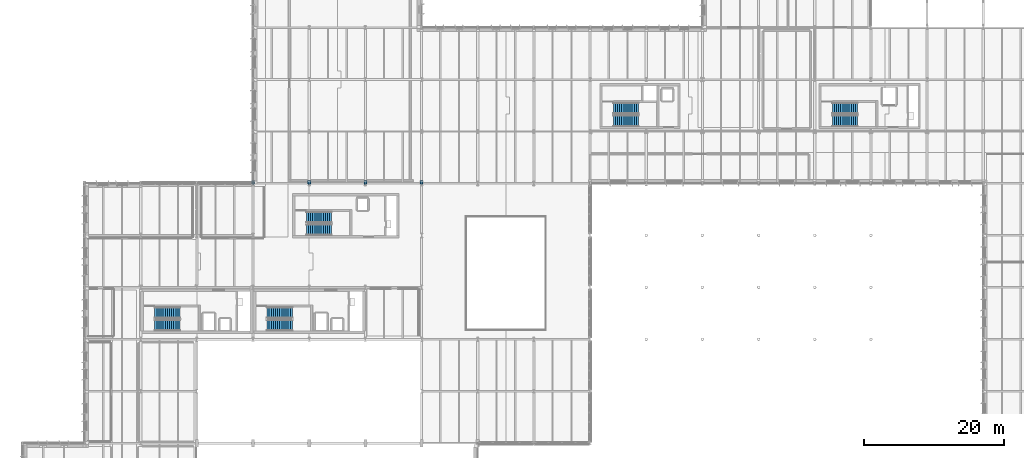
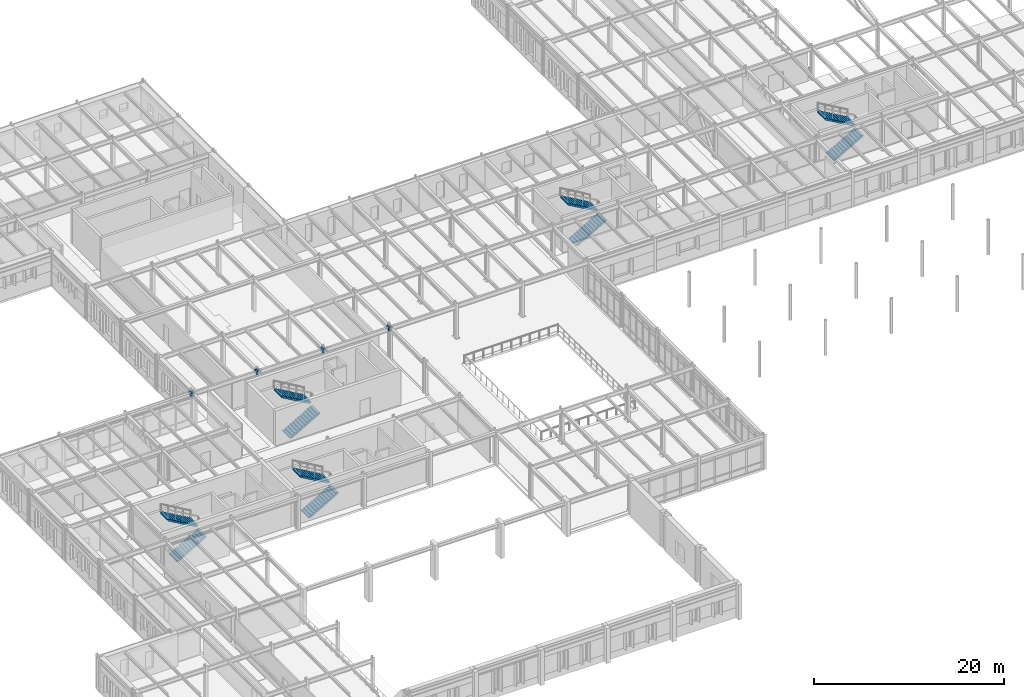
# One storey, part 53 of 75: 10 stair flights, 8 discrete accessories, 5 elements without a shape of their own.
"""IFC4 building model written with IfcOpenShell, lengths in metres."""

from ifc_helpers import new_model, si_unit, direction, frame, origin, origin_2d, place, context, subcontext, project, spatial, polyline, rectangle, outline, extrude, material, type_object, element, aggregate, save


model = new_model("IFC4")

# Units and contexts
model_context = context("Model", 3, precision=1e-05, world=origin(), true_north=direction((0.0, 1.0)))
body_context = subcontext(model_context, "Body", "Model", "MODEL_VIEW")
ifc_project = project(units=[si_unit("LENGTHUNIT", "METRE"), si_unit("AREAUNIT", "SQUARE_METRE"), si_unit("VOLUMEUNIT", "CUBIC_METRE"), si_unit("PLANEANGLEUNIT", "RADIAN"), si_unit("MASSUNIT", "GRAM", prefix="KILO")], contexts=[model_context])

# Site, building, storey
site_placement = place(None, origin())
site = spatial("IfcSite", under=ifc_project, at=site_placement, CompositionType="ELEMENT")
building_placement = place(site_placement, origin())
building = spatial("IfcBuilding", under=site, at=building_placement, Name="Valkorina Park Police Headquarters", CompositionType="ELEMENT")
storey_placement = place(building_placement, frame((0.0, 0.0, 5.39990234375)))
storey = spatial("IfcBuildingStorey", under=building, at=storey_placement, Name="L02", CompositionType="ELEMENT", Elevation=5.39990234375)

# Stair, stair flights
ifc_material_1 = material(Name="Concrete C35/45", Category="concrete")
stair_type = type_object("IfcStairType", Name="ST-DOGLEG-160-45", PredefinedType="HALF_TURN_STAIR", material=ifc_material_1)
stair_1_placement = place(storey_placement, origin())
stair_1 = element("IfcStair", 1, at=stair_1_placement, inside=storey, type_object=stair_type, Name="L02 Core C1 Protected Stair (ST-03)", PredefinedType="HALF_TURN_STAIR")
stair_flight_type = type_object("IfcStairFlightType", Name="STF-STRAIGHT-160-45", PredefinedType="STRAIGHT", material=ifc_material_1)
stair_flight_1_placement = place(storey_placement, frame((18.800048828125, 39.0, 0.0), z_axis=(0.0, 0.0, 1.0), x_axis=(1.0, 0.0, 0.0)))
stair_flight_1 = element("IfcStairFlight", 2, at=stair_flight_1_placement, type_object=stair_flight_type, Name="ST-03 flight 1", NumberOfRisers=13, NumberOfTreads=12, PredefinedType="STRAIGHT", RiserHeight=0.173076923, TreadLength=0.3, context=body_context, shape_type="SweptSolid", body=[
    extrude(outline(polyline([(0.0, 0.0), (0.0, 0.173095703125), (0.300048828125, 0.173095703125), (0.300048828125, 0.34619140625), (0.60009765625, 0.34619140625), (0.60009765625, 0.519287109375), (0.89990234375, 0.519287109375), (0.89990234375, 0.6923828125), (1.199951171875, 0.6923828125), (1.199951171875, 0.865478515625), (1.5, 0.865478515625), (1.5, 1.03857421875), (1.800048828125, 1.03857421875), (1.800048828125, 1.21142578125), (2.10009765625, 1.21142578125), (2.10009765625, 1.384521484375), (2.39990234375, 1.384521484375), (2.39990234375, 1.5576171875), (2.699951171875, 1.5576171875), (2.699951171875, 1.730712890625), (3.0, 1.730712890625), (3.0, 1.90380859375), (3.300048828125, 1.90380859375), (3.300048828125, 2.076904296875), (3.60009765625, 2.076904296875), (3.60009765625, 2.25), (3.60009765625, 1.892333984375), (0.320068359375, 0.0), (0.0, 0.0)])), frame((0.0, 0.800048828125, 0.0), z_axis=(0.0, -1.0, 0.0), x_axis=(1.0, 0.0, 0.0)), (0.0, 0.0, 1.0), 1.60009765625),
])
stair_flight_2_placement = place(storey_placement, frame((22.39990234375, 40.800048828125, 2.25), z_axis=(0.0, 0.0, 1.0), x_axis=(-1.0, 0.0, 0.0)))
stair_flight_2 = element("IfcStairFlight", 3, at=stair_flight_2_placement, type_object=stair_flight_type, Name="ST-03 flight 2", NumberOfRisers=13, NumberOfTreads=12, PredefinedType="STRAIGHT", RiserHeight=0.173076923, TreadLength=0.3, context=body_context, shape_type="SweptSolid", body=[
    extrude(outline(polyline([(0.0, 0.0), (0.0, 0.173095703125), (0.300048828125, 0.173095703125), (0.300048828125, 0.34619140625), (0.60009765625, 0.34619140625), (0.60009765625, 0.519287109375), (0.89990234375, 0.519287109375), (0.89990234375, 0.6923828125), (1.199951171875, 0.6923828125), (1.199951171875, 0.865478515625), (1.5, 0.865478515625), (1.5, 1.03857421875), (1.800048828125, 1.03857421875), (1.800048828125, 1.21142578125), (2.10009765625, 1.21142578125), (2.10009765625, 1.384521484375), (2.39990234375, 1.384521484375), (2.39990234375, 1.5576171875), (2.699951171875, 1.5576171875), (2.699951171875, 1.730712890625), (3.0, 1.730712890625), (3.0, 1.90380859375), (3.300048828125, 1.90380859375), (3.300048828125, 2.076904296875), (3.60009765625, 2.076904296875), (3.60009765625, 2.25), (3.60009765625, 1.892333984375), (0.320068359375, 0.0), (0.0, 0.0)])), frame((0.0, 0.800048828125, 0.0), z_axis=(0.0, -1.0, 0.0), x_axis=(1.0, 0.0, 0.0)), (0.0, 0.0, 1.0), 1.60009765625),
])
aggregate(stair_1, [stair_flight_1, stair_flight_2])

stair_2_placement = place(storey_placement, origin())
stair_2 = element("IfcStair", 4, at=stair_2_placement, inside=storey, type_object=stair_type, Name="L02 Core C2 Protected Stair (ST-03)", PredefinedType="HALF_TURN_STAIR")
stair_flight_3_placement = place(storey_placement, frame((34.800048828125, 39.0, 0.0), z_axis=(0.0, 0.0, 1.0), x_axis=(1.0, 0.0, 0.0)))
stair_flight_3 = element("IfcStairFlight", 5, at=stair_flight_3_placement, type_object=stair_flight_type, Name="ST-03 flight 1", NumberOfRisers=13, NumberOfTreads=12, PredefinedType="STRAIGHT", RiserHeight=0.173076923, TreadLength=0.3, context=body_context, shape_type="SweptSolid", body=[
    extrude(outline(polyline([(0.0, 0.0), (0.0, 0.173095703125), (0.300048828125, 0.173095703125), (0.300048828125, 0.34619140625), (0.60009765625, 0.34619140625), (0.60009765625, 0.519287109375), (0.89990234375, 0.519287109375), (0.89990234375, 0.6923828125), (1.199951171875, 0.6923828125), (1.199951171875, 0.865478515625), (1.5, 0.865478515625), (1.5, 1.03857421875), (1.800048828125, 1.03857421875), (1.800048828125, 1.21142578125), (2.10009765625, 1.21142578125), (2.10009765625, 1.384521484375), (2.39990234375, 1.384521484375), (2.39990234375, 1.5576171875), (2.699951171875, 1.5576171875), (2.699951171875, 1.730712890625), (3.0, 1.730712890625), (3.0, 1.90380859375), (3.300048828125, 1.90380859375), (3.300048828125, 2.076904296875), (3.60009765625, 2.076904296875), (3.60009765625, 2.25), (3.60009765625, 1.892333984375), (0.320068359375, 0.0), (0.0, 0.0)])), frame((0.0, 0.800048828125, 0.0), z_axis=(0.0, -1.0, 0.0), x_axis=(1.0, 0.0, 0.0)), (0.0, 0.0, 1.0), 1.60009765625),
])
stair_flight_4_placement = place(storey_placement, frame((38.39990234375, 40.800048828125, 2.25), z_axis=(0.0, 0.0, 1.0), x_axis=(-1.0, 0.0, 0.0)))
stair_flight_4 = element("IfcStairFlight", 6, at=stair_flight_4_placement, type_object=stair_flight_type, Name="ST-03 flight 2", NumberOfRisers=13, NumberOfTreads=12, PredefinedType="STRAIGHT", RiserHeight=0.173076923, TreadLength=0.3, context=body_context, shape_type="SweptSolid", body=[
    extrude(outline(polyline([(0.0, 0.0), (0.0, 0.173095703125), (0.300048828125, 0.173095703125), (0.300048828125, 0.34619140625), (0.60009765625, 0.34619140625), (0.60009765625, 0.519287109375), (0.89990234375, 0.519287109375), (0.89990234375, 0.6923828125), (1.199951171875, 0.6923828125), (1.199951171875, 0.865478515625), (1.5, 0.865478515625), (1.5, 1.03857421875), (1.800048828125, 1.03857421875), (1.800048828125, 1.21142578125), (2.10009765625, 1.21142578125), (2.10009765625, 1.384521484375), (2.39990234375, 1.384521484375), (2.39990234375, 1.5576171875), (2.699951171875, 1.5576171875), (2.699951171875, 1.730712890625), (3.0, 1.730712890625), (3.0, 1.90380859375), (3.300048828125, 1.90380859375), (3.300048828125, 2.076904296875), (3.60009765625, 2.076904296875), (3.60009765625, 2.25), (3.60009765625, 1.892333984375), (0.320068359375, 0.0), (0.0, 0.0)])), frame((0.0, 0.800048828125, 0.0), z_axis=(0.0, -1.0, 0.0), x_axis=(1.0, 0.0, 0.0)), (0.0, 0.0, 1.0), 1.60009765625),
])
aggregate(stair_2, [stair_flight_3, stair_flight_4])

stair_3_placement = place(storey_placement, origin())
stair_3 = element("IfcStair", 7, at=stair_3_placement, inside=storey, type_object=stair_type, Name="L02 Core C3 Protected Stair (ST-03)", PredefinedType="HALF_TURN_STAIR")
stair_flight_5_placement = place(storey_placement, frame((40.39990234375, 52.60009765625, 0.0), z_axis=(0.0, 0.0, 1.0), x_axis=(1.0, 0.0, 0.0)))
stair_flight_5 = element("IfcStairFlight", 8, at=stair_flight_5_placement, type_object=stair_flight_type, Name="ST-03 flight 1", NumberOfRisers=13, NumberOfTreads=12, PredefinedType="STRAIGHT", RiserHeight=0.173076923, TreadLength=0.3, context=body_context, shape_type="SweptSolid", body=[
    extrude(outline(polyline([(0.0, 0.0), (0.0, 0.173095703125), (0.300048828125, 0.173095703125), (0.300048828125, 0.34619140625), (0.60009765625, 0.34619140625), (0.60009765625, 0.519287109375), (0.89990234375, 0.519287109375), (0.89990234375, 0.6923828125), (1.199951171875, 0.6923828125), (1.199951171875, 0.865478515625), (1.5, 0.865478515625), (1.5, 1.03857421875), (1.800048828125, 1.03857421875), (1.800048828125, 1.21142578125), (2.10009765625, 1.21142578125), (2.10009765625, 1.384521484375), (2.39990234375, 1.384521484375), (2.39990234375, 1.5576171875), (2.699951171875, 1.5576171875), (2.699951171875, 1.730712890625), (3.0, 1.730712890625), (3.0, 1.90380859375), (3.300048828125, 1.90380859375), (3.300048828125, 2.076904296875), (3.60009765625, 2.076904296875), (3.60009765625, 2.25), (3.60009765625, 1.892333984375), (0.320068359375, 0.0), (0.0, 0.0)])), frame((0.0, 0.800048828125, 0.0), z_axis=(0.0, -1.0, 0.0), x_axis=(1.0, 0.0, 0.0)), (0.0, 0.0, 1.0), 1.60009765625),
])
stair_flight_6_placement = place(storey_placement, frame((44.0, 54.39990234375, 2.25), z_axis=(0.0, 0.0, 1.0), x_axis=(-1.0, 0.0, 0.0)))
stair_flight_6 = element("IfcStairFlight", 9, at=stair_flight_6_placement, type_object=stair_flight_type, Name="ST-03 flight 2", NumberOfRisers=13, NumberOfTreads=12, PredefinedType="STRAIGHT", RiserHeight=0.173076923, TreadLength=0.3, context=body_context, shape_type="SweptSolid", body=[
    extrude(outline(polyline([(0.0, 0.0), (0.0, 0.173095703125), (0.300048828125, 0.173095703125), (0.300048828125, 0.34619140625), (0.60009765625, 0.34619140625), (0.60009765625, 0.519287109375), (0.89990234375, 0.519287109375), (0.89990234375, 0.6923828125), (1.199951171875, 0.6923828125), (1.199951171875, 0.865478515625), (1.5, 0.865478515625), (1.5, 1.03857421875), (1.800048828125, 1.03857421875), (1.800048828125, 1.21142578125), (2.10009765625, 1.21142578125), (2.10009765625, 1.384521484375), (2.39990234375, 1.384521484375), (2.39990234375, 1.5576171875), (2.699951171875, 1.5576171875), (2.699951171875, 1.730712890625), (3.0, 1.730712890625), (3.0, 1.90380859375), (3.300048828125, 1.90380859375), (3.300048828125, 2.076904296875), (3.60009765625, 2.076904296875), (3.60009765625, 2.25), (3.60009765625, 1.892333984375), (0.320068359375, 0.0), (0.0, 0.0)])), frame((0.0, 0.800048828125, 0.0), z_axis=(0.0, -1.0, 0.0), x_axis=(1.0, 0.0, 0.0)), (0.0, 0.0, 1.0), 1.60009765625),
])
aggregate(stair_3, [stair_flight_5, stair_flight_6])

stair_4_placement = place(storey_placement, origin())
stair_4 = element("IfcStair", 10, at=stair_4_placement, inside=storey, type_object=stair_type, Name="L02 Core C5 Protected Stair (ST-03)", PredefinedType="HALF_TURN_STAIR")
stair_flight_7_placement = place(storey_placement, frame((115.300048828125, 68.10009765625, 0.0), z_axis=(0.0, 0.0, 1.0), x_axis=(1.0, 0.0, 0.0)))
stair_flight_7 = element("IfcStairFlight", 11, at=stair_flight_7_placement, type_object=stair_flight_type, Name="ST-03 flight 1", NumberOfRisers=13, NumberOfTreads=12, PredefinedType="STRAIGHT", RiserHeight=0.173076923, TreadLength=0.3, context=body_context, shape_type="SweptSolid", body=[
    extrude(outline(polyline([(0.0, 0.0), (0.0, 0.173095703125), (0.300048828125, 0.173095703125), (0.300048828125, 0.34619140625), (0.60009765625, 0.34619140625), (0.60009765625, 0.519287109375), (0.89990234375, 0.519287109375), (0.89990234375, 0.6923828125), (1.199951171875, 0.6923828125), (1.199951171875, 0.865478515625), (1.5, 0.865478515625), (1.5, 1.03857421875), (1.800048828125, 1.03857421875), (1.800048828125, 1.21142578125), (2.10009765625, 1.21142578125), (2.10009765625, 1.384521484375), (2.39990234375, 1.384521484375), (2.39990234375, 1.5576171875), (2.699951171875, 1.5576171875), (2.699951171875, 1.730712890625), (3.0, 1.730712890625), (3.0, 1.90380859375), (3.300048828125, 1.90380859375), (3.300048828125, 2.076904296875), (3.60009765625, 2.076904296875), (3.60009765625, 2.25), (3.60009765625, 1.892333984375), (0.320068359375, 0.0), (0.0, 0.0)])), frame((0.0, 0.800048828125, 0.0), z_axis=(0.0, -1.0, 0.0), x_axis=(1.0, 0.0, 0.0)), (0.0, 0.0, 1.0), 1.60009765625),
])
stair_flight_8_placement = place(storey_placement, frame((118.89990234375, 69.89990234375, 2.25), z_axis=(0.0, 0.0, 1.0), x_axis=(-1.0, 0.0, 0.0)))
stair_flight_8 = element("IfcStairFlight", 12, at=stair_flight_8_placement, type_object=stair_flight_type, Name="ST-03 flight 2", NumberOfRisers=13, NumberOfTreads=12, PredefinedType="STRAIGHT", RiserHeight=0.173076923, TreadLength=0.3, context=body_context, shape_type="SweptSolid", body=[
    extrude(outline(polyline([(0.0, 0.0), (0.0, 0.173095703125), (0.300048828125, 0.173095703125), (0.300048828125, 0.34619140625), (0.60009765625, 0.34619140625), (0.60009765625, 0.519287109375), (0.89990234375, 0.519287109375), (0.89990234375, 0.6923828125), (1.199951171875, 0.6923828125), (1.199951171875, 0.865478515625), (1.5, 0.865478515625), (1.5, 1.03857421875), (1.800048828125, 1.03857421875), (1.800048828125, 1.21142578125), (2.10009765625, 1.21142578125), (2.10009765625, 1.384521484375), (2.39990234375, 1.384521484375), (2.39990234375, 1.5576171875), (2.699951171875, 1.5576171875), (2.699951171875, 1.730712890625), (3.0, 1.730712890625), (3.0, 1.90380859375), (3.300048828125, 1.90380859375), (3.300048828125, 2.076904296875), (3.60009765625, 2.076904296875), (3.60009765625, 2.25), (3.60009765625, 1.892333984375), (0.320068359375, 0.0), (0.0, 0.0)])), frame((0.0, 0.800048828125, 0.0), z_axis=(0.0, -1.0, 0.0), x_axis=(1.0, 0.0, 0.0)), (0.0, 0.0, 1.0), 1.60009765625),
])
aggregate(stair_4, [stair_flight_7, stair_flight_8])

stair_5_placement = place(storey_placement, origin())
stair_5 = element("IfcStair", 13, at=stair_5_placement, inside=storey, type_object=stair_type, Name="L02 Core C6 Protected Stair (ST-03)", PredefinedType="HALF_TURN_STAIR")
stair_flight_9_placement = place(storey_placement, frame((84.10009765625, 68.10009765625, 0.0), z_axis=(0.0, 0.0, 1.0), x_axis=(1.0, 0.0, 0.0)))
stair_flight_9 = element("IfcStairFlight", 14, at=stair_flight_9_placement, type_object=stair_flight_type, Name="ST-03 flight 1", NumberOfRisers=13, NumberOfTreads=12, PredefinedType="STRAIGHT", RiserHeight=0.173076923, TreadLength=0.3, context=body_context, shape_type="SweptSolid", body=[
    extrude(outline(polyline([(0.0, 0.0), (0.0, 0.173095703125), (0.300048828125, 0.173095703125), (0.300048828125, 0.34619140625), (0.60009765625, 0.34619140625), (0.60009765625, 0.519287109375), (0.89990234375, 0.519287109375), (0.89990234375, 0.6923828125), (1.199951171875, 0.6923828125), (1.199951171875, 0.865478515625), (1.5, 0.865478515625), (1.5, 1.03857421875), (1.800048828125, 1.03857421875), (1.800048828125, 1.21142578125), (2.10009765625, 1.21142578125), (2.10009765625, 1.384521484375), (2.39990234375, 1.384521484375), (2.39990234375, 1.5576171875), (2.699951171875, 1.5576171875), (2.699951171875, 1.730712890625), (3.0, 1.730712890625), (3.0, 1.90380859375), (3.300048828125, 1.90380859375), (3.300048828125, 2.076904296875), (3.60009765625, 2.076904296875), (3.60009765625, 2.25), (3.60009765625, 1.892333984375), (0.320068359375, 0.0), (0.0, 0.0)])), frame((0.0, 0.800048828125, 0.0), z_axis=(0.0, -1.0, 0.0), x_axis=(1.0, 0.0, 0.0)), (0.0, 0.0, 1.0), 1.60009765625),
])
stair_flight_10_placement = place(storey_placement, frame((87.699951171875, 69.89990234375, 2.25), z_axis=(0.0, 0.0, 1.0), x_axis=(-1.0, 0.0, 0.0)))
stair_flight_10 = element("IfcStairFlight", 15, at=stair_flight_10_placement, type_object=stair_flight_type, Name="ST-03 flight 2", NumberOfRisers=13, NumberOfTreads=12, PredefinedType="STRAIGHT", RiserHeight=0.173076923, TreadLength=0.3, context=body_context, shape_type="SweptSolid", body=[
    extrude(outline(polyline([(0.0, 0.0), (0.0, 0.173095703125), (0.300048828125, 0.173095703125), (0.300048828125, 0.34619140625), (0.60009765625, 0.34619140625), (0.60009765625, 0.519287109375), (0.89990234375, 0.519287109375), (0.89990234375, 0.6923828125), (1.199951171875, 0.6923828125), (1.199951171875, 0.865478515625), (1.5, 0.865478515625), (1.5, 1.03857421875), (1.800048828125, 1.03857421875), (1.800048828125, 1.21142578125), (2.10009765625, 1.21142578125), (2.10009765625, 1.384521484375), (2.39990234375, 1.384521484375), (2.39990234375, 1.5576171875), (2.699951171875, 1.5576171875), (2.699951171875, 1.730712890625), (3.0, 1.730712890625), (3.0, 1.90380859375), (3.300048828125, 1.90380859375), (3.300048828125, 2.076904296875), (3.60009765625, 2.076904296875), (3.60009765625, 2.25), (3.60009765625, 1.892333984375), (0.320068359375, 0.0), (0.0, 0.0)])), frame((0.0, 0.800048828125, 0.0), z_axis=(0.0, -1.0, 0.0), x_axis=(1.0, 0.0, 0.0)), (0.0, 0.0, 1.0), 1.60009765625),
])
aggregate(stair_5, [stair_flight_9, stair_flight_10])

# Discrete accessories
ifc_material_2 = material(Name="Stainless steel EN 1.4404", Category="steel")
discrete_accessory_type_1 = type_object("IfcDiscreteAccessoryType", Name="ACC-BEARING-PTFE", PredefinedType="SHOE", material=ifc_material_2)
for number, where, z_axis, x_axis, name in (
    (16, (32.800048828125, 59.360107421875, 4.110107421875), (0.0, 0.0, 1.0), (1.0, 0.0, 0.0), "Unguided PTFE Movement Joint Bearing MJ-01 #15"),
    (17, (40.800048828125, 59.360107421875, 4.110107421875), (0.0, 0.0, 1.0), (1.0, 0.0, 0.0), "Unguided PTFE Movement Joint Bearing MJ-01 #16"),
    (18, (48.800048828125, 59.360107421875, 4.110107421875), (0.0, 0.0, 1.0), (1.0, 0.0, 0.0), "Unguided PTFE Movement Joint Bearing MJ-01 #17"),
    (19, (56.800048828125, 59.360107421875, 4.110107421875), (0.0, 0.0, 1.0), (1.0, 0.0, 0.0), "Unguided PTFE Movement Joint Bearing MJ-01 #18"),
):
    element("IfcDiscreteAccessory", number, at=place(storey_placement, frame(where, z_axis=z_axis, x_axis=x_axis)), inside=storey, type_object=discrete_accessory_type_1, Name=name, PredefinedType="SHOE", context=body_context, shape_type="SweptSolid", body=[
        extrude(rectangle(XDim=0.260009765625, YDim=0.47998046875, at=origin_2d()), origin(), (0.0, 0.0, 1.0), 0.06005859375),
    ])
ifc_material_3 = material(Name="Concrete C40/50", Category="concrete")
discrete_accessory_type_2 = type_object("IfcDiscreteAccessoryType", Name="ACC-CORBEL-RC-480", PredefinedType="BRACKET", material=ifc_material_3)
for number, where, z_axis, x_axis, name in (
    (20, (32.800048828125, 59.360107421875, 3.66015625), (0.0, 0.0, 1.0), (1.0, 0.0, 0.0), "Grid J 480 mm RC Movement-Joint Corbel #15"),
    (21, (40.800048828125, 59.360107421875, 3.66015625), (0.0, 0.0, 1.0), (1.0, 0.0, 0.0), "Grid J 480 mm RC Movement-Joint Corbel #16"),
    (22, (48.800048828125, 59.360107421875, 3.66015625), (0.0, 0.0, 1.0), (1.0, 0.0, 0.0), "Grid J 480 mm RC Movement-Joint Corbel #17"),
    (23, (56.800048828125, 59.360107421875, 3.66015625), (0.0, 0.0, 1.0), (1.0, 0.0, 0.0), "Grid J 480 mm RC Movement-Joint Corbel #18"),
):
    element("IfcDiscreteAccessory", number, at=place(storey_placement, frame(where, z_axis=z_axis, x_axis=x_axis)), inside=storey, type_object=discrete_accessory_type_2, Name=name, PredefinedType="BRACKET", context=body_context, shape_type="SweptSolid", body=[
        extrude(rectangle(XDim=0.449951171875, YDim=0.47998046875, at=origin_2d()), origin(), (0.0, 0.0, 1.0), 0.449951171875),
    ])

save(model, "model.ifc")
